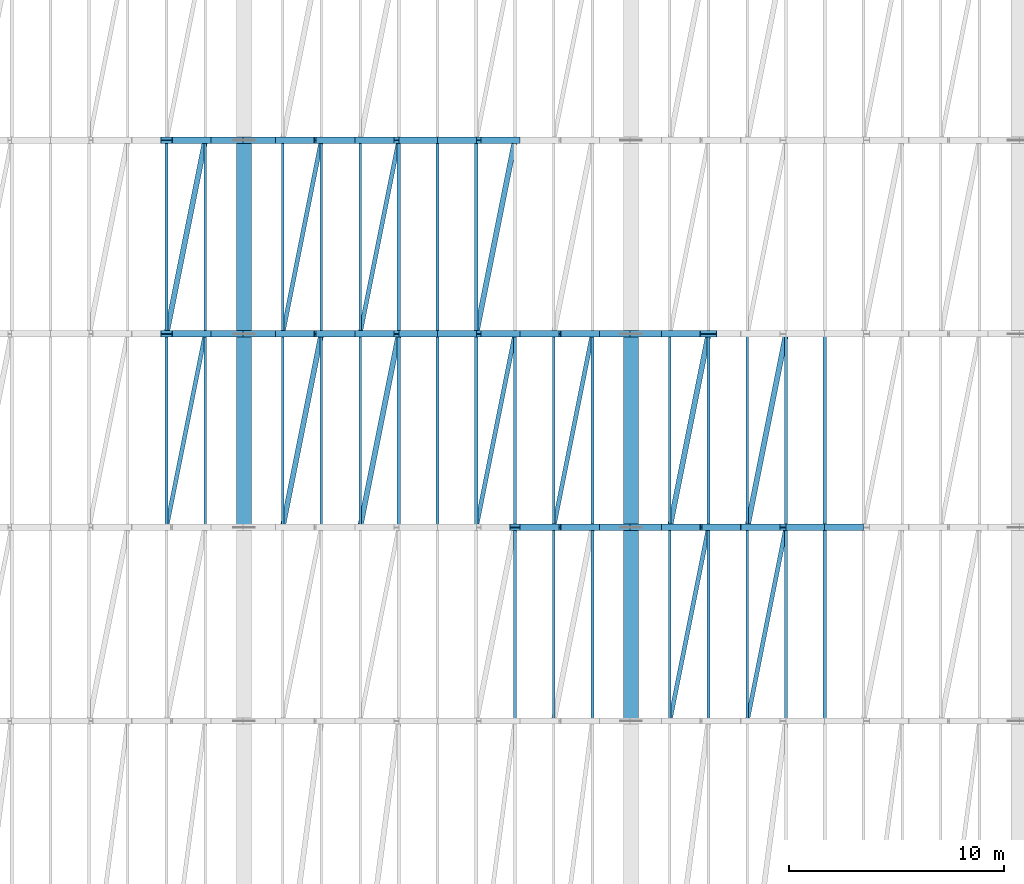
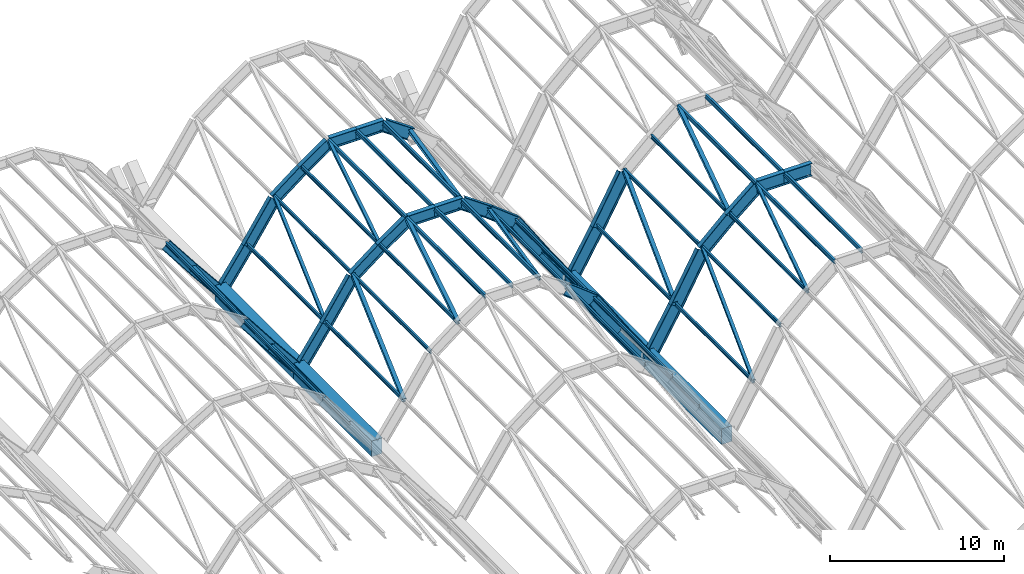
# One storey, part 20 of 86: 45 members, 36 beams.
"""IFC4 building model written with IfcOpenShell, lengths in metres."""

import ifcopenshell
import ifcopenshell.guid

model = None  # the IFC model being written
_history = None  # IfcOwnerHistory: only IFC2X3 demands one
_inside = {}  # id of a spatial element -> (the spatial element, [elements in it])
_under = {}  # id of a project, library or spatial element -> (it, [spatial elements below it])
_declared = {}  # id of a project -> (the project, [libraries it declares])
_typed = {}  # id of a type object -> (the type object, [elements of that type])
_made_of = {}  # id of a material, layer set ... -> (it, [elements and type objects made of it])


def new_model(schema):
    """Start an empty IFC model of exactly this schema.

    Asked for "IFC4X3", IfcOpenShell would pick the latest addendum, in which some entities
    have other attributes; the version numbers below select the first issue.
    IFC2X3 requires an IfcOwnerHistory on every rooted entity: one is made here for all.
    """
    global model, _history
    if schema == "IFC4X3":
        model = ifcopenshell.file(schema_version=(4, 3, 0, 0))
    else:
        model = ifcopenshell.file(schema=schema)
    _inside.clear()
    _under.clear()
    _declared.clear()
    _typed.clear()
    _made_of.clear()
    _history = None
    if model.schema == "IFC2X3":
        org = make("IfcOrganization", Name="unknown")
        user = make(
            "IfcPersonAndOrganization",
            ThePerson=make("IfcPerson", FamilyName="unknown"),
            TheOrganization=org,
        )
        app = make(
            "IfcApplication",
            ApplicationDeveloper=org,
            Version="unknown",
            ApplicationFullName="unknown",
            ApplicationIdentifier="unknown",
        )
        _history = make(
            "IfcOwnerHistory",
            OwningUser=user,
            OwningApplication=app,
            ChangeAction="ADDED",
            CreationDate=0,
        )
    return model


def make(cls, **values):
    """One entity of the class cls with the attributes given. An attribute that is None is left unset."""
    return model.create_entity(
        cls, **{name: value for name, value in values.items() if value is not None}
    )


def rooted(cls, **values):
    """An entity with a GlobalId (a new one), such as an element, a storey or a relation."""
    return make(cls, GlobalId=ifcopenshell.guid.new(), OwnerHistory=_history, **values)


def si_unit(unit_type, name, prefix=None):
    """IfcSIUnit, for example si_unit("LENGTHUNIT", "METRE", prefix="MILLI")."""
    return make("IfcSIUnit", UnitType=unit_type, Prefix=prefix, Name=name)


def assignment(units):
    """IfcUnitAssignment: the units of a project."""
    return None if units is None else make("IfcUnitAssignment", Units=units)


def point(xyz):
    """IfcCartesianPoint."""
    return None if xyz is None else make("IfcCartesianPoint", Coordinates=xyz)


def direction(xyz):
    """IfcDirection."""
    return None if xyz is None else make("IfcDirection", DirectionRatios=xyz)


def frame(location, z_axis=None, x_axis=None):
    """IfcAxis2Placement3D, a coordinate frame: its origin and axes. An axis left out is left unset."""
    return make(
        "IfcAxis2Placement3D",
        Location=point(location),
        Axis=direction(z_axis),
        RefDirection=direction(x_axis),
    )


def frame_2d(location, x_axis=None):
    """IfcAxis2Placement2D, a coordinate frame in the plane: its origin and x axis."""
    return make(
        "IfcAxis2Placement2D", Location=point(location), RefDirection=direction(x_axis)
    )


def origin():
    """The frame at (0, 0, 0) with its axes left unset."""
    return frame((0.0, 0.0, 0.0))


def origin_2d():
    """The frame at (0, 0) in the plane with its x axis left unset."""
    return frame_2d((0.0, 0.0))


def place(relative_to, where):
    """IfcLocalPlacement: puts the frame where relative to a parent placement (None: the world)."""
    return make(
        "IfcLocalPlacement", PlacementRelTo=relative_to, RelativePlacement=where
    )


def context(
    kind, dimensions, precision=None, world=None, true_north=None, identifier=None
):
    """IfcGeometricRepresentationContext, for example the 3D "Model" context."""
    return make(
        "IfcGeometricRepresentationContext",
        ContextIdentifier=identifier,
        ContextType=kind,
        CoordinateSpaceDimension=dimensions,
        Precision=precision,
        WorldCoordinateSystem=world,
        TrueNorth=true_north,
    )


def subcontext(parent, identifier, kind, view, scale=None):
    """IfcGeometricRepresentationSubContext, for example "Body" below "Model"."""
    return make(
        "IfcGeometricRepresentationSubContext",
        ContextIdentifier=identifier,
        ContextType=kind,
        ParentContext=parent,
        TargetScale=scale,
        TargetView=view,
    )


def project(units=None, contexts=None):
    """IfcProject with its units and contexts."""
    return rooted(
        "IfcProject",
        Name="project",
        RepresentationContexts=contexts,
        UnitsInContext=assignment(units),
    )


def spatial(cls, under=None, at=None, **own):
    """A site, building, storey or space (cls), placed at a placement, below another one or the project."""
    s = rooted(cls, ObjectPlacement=at, **own)
    if under is not None:
        _under.setdefault(under.id(), (under, []))[1].append(s)
    return s


def profile(cls, at=None, kind="AREA", **sizes):
    """A parametric profile (cls). Its sizes go by their IFC names, for example OverallWidth=200.0."""
    return make(cls, ProfileType=kind, Position=at, **sizes)


def rectangle(**sizes):
    """IfcRectangleProfileDef."""
    return profile("IfcRectangleProfileDef", **sizes)


def i_section(**sizes):
    """IfcIShapeProfileDef."""
    return profile("IfcIShapeProfileDef", **sizes)


def extrude(swept, where, along, depth):
    """IfcExtrudedAreaSolid: the profile swept, set in the frame where, extruded along a direction by depth."""
    return make(
        "IfcExtrudedAreaSolid",
        SweptArea=swept,
        Position=where,
        ExtrudedDirection=direction(along),
        Depth=depth,
    )


def shape(context_of_items, identifier, shape_type, items):
    """IfcShapeRepresentation: the items that make up one representation, for example the "Body"."""
    return make(
        "IfcShapeRepresentation",
        ContextOfItems=context_of_items,
        RepresentationIdentifier=identifier,
        RepresentationType=shape_type,
        Items=items,
    )


def material(Name=None, Category=None):
    """IfcMaterial."""
    return make("IfcMaterial", Name=Name, Category=Category)


def material_profile(
    of_material, cross_section, Name=None, Category=None, Priority=None
):
    """IfcMaterialProfile: a cross section and its material."""
    return make(
        "IfcMaterialProfile",
        Name=Name,
        Material=of_material,
        Profile=cross_section,
        Priority=Priority,
        Category=Category,
    )


def profile_set(profiles, Name=None, composite=None):
    """IfcMaterialProfileSet."""
    return make(
        "IfcMaterialProfileSet",
        Name=Name,
        MaterialProfiles=profiles,
        CompositeProfile=composite,
    )


def made_of(thing, what):
    """Note that an element or type object is made of a material, layer set ...; save() writes the relation."""
    if what is not None:
        _made_of.setdefault(what.id(), (what, []))[1].append(thing)
    return thing


def type_object(cls, material=None, **own):
    """A type object (cls), such as IfcWallType, which elements share."""
    return made_of(rooted(cls, **own), material)


def element(
    cls,
    number,
    at=None,
    inside=None,
    cuts=None,
    type_object=None,
    material=None,
    context=None,
    identifier="Body",
    shape_type=None,
    held_by="IfcProductDefinitionShape",
    body=None,
    shapes=None,
    **own,
):
    """One element of the class cls, such as IfcWall. Its Tag is "e" and its number.

    at: its placement. inside: the storey or other place that contains it. cuts: it is an
    opening in that element (IfcRelVoidsElement). A single representation is given by context,
    identifier, shape_type and body (its items); several are given by shapes. held_by: the class
    of the entity that holds the representations. save() writes the other relations.
    """
    e = rooted(cls, Tag="e%d" % number, ObjectPlacement=at, **own)
    if body is not None:
        shapes = [shape(context, identifier, shape_type, body)]
    if shapes is not None:
        e.Representation = make(held_by, Representations=shapes)
    if inside is not None:
        _inside.setdefault(inside.id(), (inside, []))[1].append(e)
    if cuts is not None:
        rooted(
            "IfcRelVoidsElement", RelatingBuildingElement=cuts, RelatedOpeningElement=e
        )
    if type_object is not None:
        _typed.setdefault(type_object.id(), (type_object, []))[1].append(e)
    return made_of(e, material)


def aggregate(whole, parts):
    """IfcRelAggregates: a whole, such as a stair, and the parts it consists of."""
    return rooted("IfcRelAggregates", RelatingObject=whole, RelatedObjects=parts)


def save(model, path):
    """Write the relations noted so far, then the file.

    IfcRelAggregates (storeys below a building ...), IfcRelContainedInSpatialStructure (elements
    in a storey), IfcRelDefinesByType, IfcRelAssociatesMaterial and IfcRelDeclares: one each for
    every whole, place, type object, material and project.
    """
    for whole, parts in _under.values():
        aggregate(whole, parts)
    for where, things in _inside.values():
        rooted(
            "IfcRelContainedInSpatialStructure",
            RelatedElements=things,
            RelatingStructure=where,
        )
    for kind, things in _typed.values():
        rooted("IfcRelDefinesByType", RelatedObjects=things, RelatingType=kind)
    for what, things in _made_of.values():
        rooted("IfcRelAssociatesMaterial", RelatedObjects=things, RelatingMaterial=what)
    for by, libraries in _declared.values():
        rooted("IfcRelDeclares", RelatingContext=by, RelatedDefinitions=libraries)
    model.write(path)


model = new_model("IFC4")

# Units and contexts
model_context = context("Model", 3, precision=1e-05, world=origin(), true_north=direction((0.0, 1.0)))
body_context = subcontext(model_context, "Body", "Model", "MODEL_VIEW")
ifc_project = project(units=[si_unit("LENGTHUNIT", "METRE"), si_unit("AREAUNIT", "SQUARE_METRE"), si_unit("VOLUMEUNIT", "CUBIC_METRE"), si_unit("PLANEANGLEUNIT", "RADIAN"), si_unit("MASSUNIT", "GRAM", prefix="KILO")], contexts=[model_context])

# Site, building, storey
site_placement = place(None, origin())
site = spatial("IfcSite", under=ifc_project, at=site_placement, CompositionType="ELEMENT")
building_placement = place(site_placement, origin())
building = spatial("IfcBuilding", under=site, at=building_placement, Name="Chuanluo Vaults Station", CompositionType="ELEMENT")
storey_placement = place(building_placement, frame((0.0, 0.0, 14.39990234375)))
storey = spatial("IfcBuildingStorey", under=building, at=storey_placement, Name="L03", CompositionType="ELEMENT", Elevation=14.39990234375)

# Beams
ifc_material_1 = material(Name="Concrete C50", Category="concrete")
ifc_material_profile_1 = material_profile(ifc_material_1, rectangle(XDim=0.699951171875, YDim=1.10009765625, at=origin_2d()))
ifc_profile_set_1 = profile_set([ifc_material_profile_1], Name="Concrete C50")
beam_type_1 = type_object("IfcBeamType", Name="BM-VAL-RC", PredefinedType="USERDEFINED", material=ifc_profile_set_1)
for number, where, z_axis, x_axis, name in (
    (1, (36.0, 76.5, -0.7998046875), (0.0, 1.0, 0.0), (-1.0, 0.0, 0.0), "Vault springing valley beam X36-6"),
    (2, (36.0, 85.5, -0.7998046875), (0.0, 1.0, 0.0), (-1.0, 0.0, 0.0), "Vault springing valley beam X36-7"),
    (3, (54.0, 67.5, -0.7998046875), (0.0, 1.0, 0.0), (-1.0, 0.0, 0.0), "Vault springing valley beam X54-5"),
    (4, (54.0, 76.5, -0.7998046875), (0.0, 1.0, 0.0), (-1.0, 0.0, 0.0), "Vault springing valley beam X54-6"),
):
    element("IfcBeam", number, at=place(storey_placement, frame(where, z_axis=z_axis, x_axis=x_axis)), inside=storey, type_object=beam_type_1, Name=name, ObjectType="GIRDER", PredefinedType="USERDEFINED", context=body_context, shape_type="SweptSolid", body=[
        extrude(rectangle(XDim=0.699951171875, YDim=1.10009765625, at=origin_2d()), origin(), (0.0, 0.0, 1.0), 9.0),
    ])
ifc_material_2 = material(Name="Steel Q355C", Category="steel")
ifc_material_profile_2 = material_profile(ifc_material_2, i_section(OverallWidth=0.300048828125, OverallDepth=0.699951171875, WebThickness=0.012939453125, FlangeThickness=0.02392578125, FilletRadius=0.02392578125, at=origin_2d()))
ifc_profile_set_2 = profile_set([ifc_material_profile_2], Name="Steel Q355C")
beam_type_2 = type_object("IfcBeamType", Name="BM-VLT-700", PredefinedType="USERDEFINED", material=ifc_profile_set_2)
beam_1_placement = place(storey_placement, frame((32.39990234375, 85.5, 3.74560546875), z_axis=(0.613681275736, 0.0, -0.789553856182), x_axis=(0.0, 1.0, 0.0)))
element("IfcBeam", 5, at=beam_1_placement, inside=storey, type_object=beam_type_2, Name="Vault V2 arch rib 7 chord 9", ObjectType="GIRDER", PredefinedType="USERDEFINED", context=body_context, shape_type="SweptSolid", body=[
    extrude(i_section(OverallWidth=0.300048828125, OverallDepth=0.699951171875, WebThickness=0.012939453125, FlangeThickness=0.02392578125, FilletRadius=0.02392578125, at=origin_2d()), origin(), (0.0, 0.0, 1.0), 2.93310546875),
])
beam_2_placement = place(storey_placement, frame((34.199951171875, 85.5, 1.4296875), z_axis=(0.628190338877, 0.0, -0.778059700885), x_axis=(0.0, 1.0, 0.0)))
element("IfcBeam", 6, at=beam_2_placement, inside=storey, type_object=beam_type_2, Name="Vault V2 arch rib 7 chord 10", ObjectType="GIRDER", PredefinedType="USERDEFINED", context=body_context, shape_type="SweptSolid", body=[
    extrude(i_section(OverallWidth=0.300048828125, OverallDepth=0.699951171875, WebThickness=0.012939453125, FlangeThickness=0.02392578125, FilletRadius=0.02392578125, at=origin_2d()), origin(), (0.0, 0.0, 1.0), 2.865478515625),
])
beam_3_placement = place(storey_placement, frame((32.39990234375, 94.5, 3.74560546875), z_axis=(0.613681275736, 0.0, -0.789553856182), x_axis=(0.0, 1.0, 0.0)))
element("IfcBeam", 7, at=beam_3_placement, inside=storey, type_object=beam_type_2, Name="Vault V2 arch rib 8 chord 9", ObjectType="GIRDER", PredefinedType="USERDEFINED", context=body_context, shape_type="SweptSolid", body=[
    extrude(i_section(OverallWidth=0.300048828125, OverallDepth=0.699951171875, WebThickness=0.012939453125, FlangeThickness=0.02392578125, FilletRadius=0.02392578125, at=origin_2d()), origin(), (0.0, 0.0, 1.0), 2.93310546875),
])
beam_4_placement = place(storey_placement, frame((34.199951171875, 94.5, 1.4296875), z_axis=(0.628190338877, 0.0, -0.778059700885), x_axis=(0.0, 1.0, 0.0)))
element("IfcBeam", 8, at=beam_4_placement, inside=storey, type_object=beam_type_2, Name="Vault V2 arch rib 8 chord 10", ObjectType="GIRDER", PredefinedType="USERDEFINED", context=body_context, shape_type="SweptSolid", body=[
    extrude(i_section(OverallWidth=0.300048828125, OverallDepth=0.699951171875, WebThickness=0.012939453125, FlangeThickness=0.02392578125, FilletRadius=0.02392578125, at=origin_2d()), origin(), (0.0, 0.0, 1.0), 2.865478515625),
])
ifc_material_3 = material(Name="Steel Q355C", Category="steel")
ifc_material_profile_3 = material_profile(ifc_material_3, i_section(OverallWidth=0.300048828125, OverallDepth=0.800048828125, WebThickness=0.013916015625, FlangeThickness=0.02587890625, FilletRadius=0.02392578125, at=origin_2d()))
ifc_profile_set_3 = profile_set([ifc_material_profile_3], Name="Steel Q355C")
beam_type_3 = type_object("IfcBeamType", Name="BM-VLT-800", PredefinedType="USERDEFINED", material=ifc_profile_set_3)
beam_5_placement = place(storey_placement, frame((48.60009765625, 76.5, 5.8779296875), z_axis=(0.790274889356, 0.0, -0.612752477965), x_axis=(0.0, 1.0, 0.0)))
element("IfcBeam", 9, at=beam_5_placement, inside=storey, type_object=beam_type_3, Name="Vault V3 arch rib 6 chord 8", ObjectType="GIRDER", PredefinedType="USERDEFINED", context=body_context, shape_type="SweptSolid", body=[
    extrude(i_section(OverallWidth=0.300048828125, OverallDepth=0.800048828125, WebThickness=0.013916015625, FlangeThickness=0.02587890625, FilletRadius=0.02392578125, at=origin_2d()), origin(), (0.0, 0.0, 1.0), 2.27734375),
])
beam_6_placement = place(storey_placement, frame((50.39990234375, 76.5, 4.482421875), z_axis=(0.550471867992, 0.0, -0.834853713263), x_axis=(0.0, 1.0, 0.0)))
element("IfcBeam", 10, at=beam_6_placement, inside=storey, type_object=beam_type_3, Name="Vault V3 arch rib 6 chord 9", ObjectType="GIRDER", PredefinedType="USERDEFINED", context=body_context, shape_type="SweptSolid", body=[
    extrude(i_section(OverallWidth=0.300048828125, OverallDepth=0.800048828125, WebThickness=0.013916015625, FlangeThickness=0.02587890625, FilletRadius=0.02392578125, at=origin_2d()), origin(), (0.0, 0.0, 1.0), 3.27001953125),
])
for number, where, z_axis, x_axis, name in (
    (11, (52.199951171875, 76.5, 1.75244140625), (0.568880934439, 0.0, -0.822419894234), (0.0, 1.0, 0.0), "Vault V3 arch rib 6 chord 10"),
    (12, (36.0, 85.5, -0.849853515625), (0.568880934439, 0.0, 0.822419894234), (0.0, 1.0, 0.0), "Vault V3 arch rib 7 chord 1"),
):
    element("IfcBeam", number, at=place(storey_placement, frame(where, z_axis=z_axis, x_axis=x_axis)), inside=storey, type_object=beam_type_3, Name=name, ObjectType="GIRDER", PredefinedType="USERDEFINED", context=body_context, shape_type="SweptSolid", body=[
        extrude(i_section(OverallWidth=0.300048828125, OverallDepth=0.800048828125, WebThickness=0.013916015625, FlangeThickness=0.02587890625, FilletRadius=0.02392578125, at=origin_2d()), origin(), (0.0, 0.0, 1.0), 3.164306640625),
    ])
beam_7_placement = place(storey_placement, frame((37.800048828125, 85.5, 1.75244140625), z_axis=(0.550471867992, 0.0, 0.834853713263), x_axis=(0.0, 1.0, 0.0)))
element("IfcBeam", 13, at=beam_7_placement, inside=storey, type_object=beam_type_3, Name="Vault V3 arch rib 7 chord 2", ObjectType="GIRDER", PredefinedType="USERDEFINED", context=body_context, shape_type="SweptSolid", body=[
    extrude(i_section(OverallWidth=0.300048828125, OverallDepth=0.800048828125, WebThickness=0.013916015625, FlangeThickness=0.02587890625, FilletRadius=0.02392578125, at=origin_2d()), origin(), (0.0, 0.0, 1.0), 3.27001953125),
])
beam_8_placement = place(storey_placement, frame((39.60009765625, 85.5, 4.482421875), z_axis=(0.790274889356, 0.0, 0.612752477965), x_axis=(0.0, 1.0, 0.0)))
element("IfcBeam", 14, at=beam_8_placement, inside=storey, type_object=beam_type_3, Name="Vault V3 arch rib 7 chord 3", ObjectType="GIRDER", PredefinedType="USERDEFINED", context=body_context, shape_type="SweptSolid", body=[
    extrude(i_section(OverallWidth=0.300048828125, OverallDepth=0.800048828125, WebThickness=0.013916015625, FlangeThickness=0.02587890625, FilletRadius=0.02392578125, at=origin_2d()), origin(), (0.0, 0.0, 1.0), 2.27734375),
])
beam_9_placement = place(storey_placement, frame((41.39990234375, 85.5, 5.8779296875), z_axis=(0.820907471123, 0.0, 0.571061226012), x_axis=(0.0, 1.0, 0.0)))
element("IfcBeam", 15, at=beam_9_placement, inside=storey, type_object=beam_type_3, Name="Vault V3 arch rib 7 chord 4", ObjectType="GIRDER", PredefinedType="USERDEFINED", context=body_context, shape_type="SweptSolid", body=[
    extrude(i_section(OverallWidth=0.300048828125, OverallDepth=0.800048828125, WebThickness=0.013916015625, FlangeThickness=0.02587890625, FilletRadius=0.02392578125, at=origin_2d()), origin(), (0.0, 0.0, 1.0), 2.19287109375),
])
for number, where, z_axis, x_axis, name in (
    (16, (43.199951171875, 85.5, 7.130126953125), (1.0, 0.0, 0.0), (0.0, 1.0, 0.0), "Vault V3 arch rib 7 chord 5"),
    (17, (45.0, 85.5, 7.130126953125), (1.0, 0.0, 0.0), (0.0, 1.0, 0.0), "Vault V3 arch rib 7 chord 6"),
):
    element("IfcBeam", number, at=place(storey_placement, frame(where, z_axis=z_axis, x_axis=x_axis)), inside=storey, type_object=beam_type_3, Name=name, ObjectType="GIRDER", PredefinedType="USERDEFINED", context=body_context, shape_type="SweptSolid", body=[
        extrude(i_section(OverallWidth=0.300048828125, OverallDepth=0.800048828125, WebThickness=0.013916015625, FlangeThickness=0.02587890625, FilletRadius=0.02392578125, at=origin_2d()), origin(), (0.0, 0.0, 1.0), 1.800048828125),
    ])
beam_10_placement = place(storey_placement, frame((46.800048828125, 85.5, 7.130126953125), z_axis=(0.820907471123, 0.0, -0.571061226012), x_axis=(0.0, 1.0, 0.0)))
element("IfcBeam", 18, at=beam_10_placement, inside=storey, type_object=beam_type_3, Name="Vault V3 arch rib 7 chord 7", ObjectType="GIRDER", PredefinedType="USERDEFINED", context=body_context, shape_type="SweptSolid", body=[
    extrude(i_section(OverallWidth=0.300048828125, OverallDepth=0.800048828125, WebThickness=0.013916015625, FlangeThickness=0.02587890625, FilletRadius=0.02392578125, at=origin_2d()), origin(), (0.0, 0.0, 1.0), 2.19287109375),
])
beam_11_placement = place(storey_placement, frame((48.60009765625, 85.5, 5.8779296875), z_axis=(0.790274889356, 0.0, -0.612752477965), x_axis=(0.0, 1.0, 0.0)))
element("IfcBeam", 19, at=beam_11_placement, inside=storey, type_object=beam_type_3, Name="Vault V3 arch rib 7 chord 8", ObjectType="GIRDER", PredefinedType="USERDEFINED", context=body_context, shape_type="SweptSolid", body=[
    extrude(i_section(OverallWidth=0.300048828125, OverallDepth=0.800048828125, WebThickness=0.013916015625, FlangeThickness=0.02587890625, FilletRadius=0.02392578125, at=origin_2d()), origin(), (0.0, 0.0, 1.0), 2.27734375),
])
beam_12_placement = place(storey_placement, frame((50.39990234375, 85.5, 4.482421875), z_axis=(0.550471867992, 0.0, -0.834853713263), x_axis=(0.0, 1.0, 0.0)))
element("IfcBeam", 20, at=beam_12_placement, inside=storey, type_object=beam_type_3, Name="Vault V3 arch rib 7 chord 9", ObjectType="GIRDER", PredefinedType="USERDEFINED", context=body_context, shape_type="SweptSolid", body=[
    extrude(i_section(OverallWidth=0.300048828125, OverallDepth=0.800048828125, WebThickness=0.013916015625, FlangeThickness=0.02587890625, FilletRadius=0.02392578125, at=origin_2d()), origin(), (0.0, 0.0, 1.0), 3.27001953125),
])
for number, where, z_axis, x_axis, name in (
    (21, (52.199951171875, 85.5, 1.75244140625), (0.568880934439, 0.0, -0.822419894234), (0.0, 1.0, 0.0), "Vault V3 arch rib 7 chord 10"),
    (22, (36.0, 94.5, -0.849853515625), (0.568880934439, 0.0, 0.822419894234), (0.0, 1.0, 0.0), "Vault V3 arch rib 8 chord 1"),
):
    element("IfcBeam", number, at=place(storey_placement, frame(where, z_axis=z_axis, x_axis=x_axis)), inside=storey, type_object=beam_type_3, Name=name, ObjectType="GIRDER", PredefinedType="USERDEFINED", context=body_context, shape_type="SweptSolid", body=[
        extrude(i_section(OverallWidth=0.300048828125, OverallDepth=0.800048828125, WebThickness=0.013916015625, FlangeThickness=0.02587890625, FilletRadius=0.02392578125, at=origin_2d()), origin(), (0.0, 0.0, 1.0), 3.164306640625),
    ])
beam_13_placement = place(storey_placement, frame((37.800048828125, 94.5, 1.75244140625), z_axis=(0.550471867992, 0.0, 0.834853713263), x_axis=(0.0, 1.0, 0.0)))
element("IfcBeam", 23, at=beam_13_placement, inside=storey, type_object=beam_type_3, Name="Vault V3 arch rib 8 chord 2", ObjectType="GIRDER", PredefinedType="USERDEFINED", context=body_context, shape_type="SweptSolid", body=[
    extrude(i_section(OverallWidth=0.300048828125, OverallDepth=0.800048828125, WebThickness=0.013916015625, FlangeThickness=0.02587890625, FilletRadius=0.02392578125, at=origin_2d()), origin(), (0.0, 0.0, 1.0), 3.27001953125),
])
beam_14_placement = place(storey_placement, frame((39.60009765625, 94.5, 4.482421875), z_axis=(0.790274889356, 0.0, 0.612752477965), x_axis=(0.0, 1.0, 0.0)))
element("IfcBeam", 24, at=beam_14_placement, inside=storey, type_object=beam_type_3, Name="Vault V3 arch rib 8 chord 3", ObjectType="GIRDER", PredefinedType="USERDEFINED", context=body_context, shape_type="SweptSolid", body=[
    extrude(i_section(OverallWidth=0.300048828125, OverallDepth=0.800048828125, WebThickness=0.013916015625, FlangeThickness=0.02587890625, FilletRadius=0.02392578125, at=origin_2d()), origin(), (0.0, 0.0, 1.0), 2.27734375),
])
beam_15_placement = place(storey_placement, frame((41.39990234375, 94.5, 5.8779296875), z_axis=(0.820907471123, 0.0, 0.571061226012), x_axis=(0.0, 1.0, 0.0)))
element("IfcBeam", 25, at=beam_15_placement, inside=storey, type_object=beam_type_3, Name="Vault V3 arch rib 8 chord 4", ObjectType="GIRDER", PredefinedType="USERDEFINED", context=body_context, shape_type="SweptSolid", body=[
    extrude(i_section(OverallWidth=0.300048828125, OverallDepth=0.800048828125, WebThickness=0.013916015625, FlangeThickness=0.02587890625, FilletRadius=0.02392578125, at=origin_2d()), origin(), (0.0, 0.0, 1.0), 2.19287109375),
])
for number, where, z_axis, x_axis, name in (
    (26, (43.199951171875, 94.5, 7.130126953125), (1.0, 0.0, 0.0), (0.0, 1.0, 0.0), "Vault V3 arch rib 8 chord 5"),
    (27, (45.0, 94.5, 7.130126953125), (1.0, 0.0, 0.0), (0.0, 1.0, 0.0), "Vault V3 arch rib 8 chord 6"),
):
    element("IfcBeam", number, at=place(storey_placement, frame(where, z_axis=z_axis, x_axis=x_axis)), inside=storey, type_object=beam_type_3, Name=name, ObjectType="GIRDER", PredefinedType="USERDEFINED", context=body_context, shape_type="SweptSolid", body=[
        extrude(i_section(OverallWidth=0.300048828125, OverallDepth=0.800048828125, WebThickness=0.013916015625, FlangeThickness=0.02587890625, FilletRadius=0.02392578125, at=origin_2d()), origin(), (0.0, 0.0, 1.0), 1.800048828125),
    ])
beam_16_placement = place(storey_placement, frame((46.800048828125, 94.5, 7.130126953125), z_axis=(0.820907471123, 0.0, -0.571061226012), x_axis=(0.0, 1.0, 0.0)))
element("IfcBeam", 28, at=beam_16_placement, inside=storey, type_object=beam_type_3, Name="Vault V3 arch rib 8 chord 7", ObjectType="GIRDER", PredefinedType="USERDEFINED", context=body_context, shape_type="SweptSolid", body=[
    extrude(i_section(OverallWidth=0.300048828125, OverallDepth=0.800048828125, WebThickness=0.013916015625, FlangeThickness=0.02587890625, FilletRadius=0.02392578125, at=origin_2d()), origin(), (0.0, 0.0, 1.0), 2.19287109375),
])
ifc_material_4 = material(Name="Steel Q355C", Category="steel")
ifc_material_profile_4 = material_profile(ifc_material_4, i_section(OverallWidth=0.300048828125, OverallDepth=0.89990234375, WebThickness=0.01611328125, FlangeThickness=0.028076171875, FilletRadius=0.02392578125, at=origin_2d()))
ifc_profile_set_4 = profile_set([ifc_material_profile_4], Name="Steel Q355C")
beam_type_4 = type_object("IfcBeamType", Name="BM-VLT-900", PredefinedType="USERDEFINED", material=ifc_profile_set_4)
beam_17_placement = place(storey_placement, frame((54.0, 76.5, -0.89990234375), z_axis=(0.502607424266, 0.0, 0.864514763941), x_axis=(0.0, 1.0, 0.0)))
element("IfcBeam", 29, at=beam_17_placement, inside=storey, type_object=beam_type_4, Name="Vault V4 arch rib 6 chord 1", ObjectType="GIRDER", PredefinedType="USERDEFINED", context=body_context, shape_type="SweptSolid", body=[
    extrude(i_section(OverallWidth=0.300048828125, OverallDepth=0.89990234375, WebThickness=0.01611328125, FlangeThickness=0.028076171875, FilletRadius=0.02392578125, at=origin_2d()), origin(), (0.0, 0.0, 1.0), 3.58154296875),
])
beam_18_placement = place(storey_placement, frame((55.800048828125, 76.5, 2.1962890625), z_axis=(0.480856872349, 0.0, 0.876799103738), x_axis=(0.0, 1.0, 0.0)))
element("IfcBeam", 30, at=beam_18_placement, inside=storey, type_object=beam_type_4, Name="Vault V4 arch rib 6 chord 2", ObjectType="GIRDER", PredefinedType="USERDEFINED", context=body_context, shape_type="SweptSolid", body=[
    extrude(i_section(OverallWidth=0.300048828125, OverallDepth=0.89990234375, WebThickness=0.01611328125, FlangeThickness=0.028076171875, FilletRadius=0.02392578125, at=origin_2d()), origin(), (0.0, 0.0, 1.0), 3.743408203125),
])
beam_19_placement = place(storey_placement, frame((57.60009765625, 76.5, 5.478515625), z_axis=(0.730389392317, 0.0, 0.683030991676), x_axis=(0.0, 1.0, 0.0)))
element("IfcBeam", 31, at=beam_19_placement, inside=storey, type_object=beam_type_4, Name="Vault V4 arch rib 6 chord 3", ObjectType="GIRDER", PredefinedType="USERDEFINED", context=body_context, shape_type="SweptSolid", body=[
    extrude(i_section(OverallWidth=0.300048828125, OverallDepth=0.89990234375, WebThickness=0.01611328125, FlangeThickness=0.028076171875, FilletRadius=0.02392578125, at=origin_2d()), origin(), (0.0, 0.0, 1.0), 2.464111328125),
])
beam_20_placement = place(storey_placement, frame((59.39990234375, 76.5, 7.16162109375), z_axis=(0.76434097912, 0.0, 0.644812273176), x_axis=(0.0, 1.0, 0.0)))
element("IfcBeam", 32, at=beam_20_placement, inside=storey, type_object=beam_type_4, Name="Vault V4 arch rib 6 chord 4", ObjectType="GIRDER", PredefinedType="USERDEFINED", context=body_context, shape_type="SweptSolid", body=[
    extrude(i_section(OverallWidth=0.300048828125, OverallDepth=0.89990234375, WebThickness=0.01611328125, FlangeThickness=0.028076171875, FilletRadius=0.02392578125, at=origin_2d()), origin(), (0.0, 0.0, 1.0), 2.35498046875),
])
for number, where, z_axis, x_axis, name in (
    (33, (61.199951171875, 76.5, 8.68017578125), (1.0, 0.0, 0.0), (0.0, 1.0, 0.0), "Vault V4 arch rib 6 chord 5"),
    (34, (63.0, 76.5, 8.68017578125), (1.0, 0.0, 0.0), (0.0, 1.0, 0.0), "Vault V4 arch rib 6 chord 6"),
):
    element("IfcBeam", number, at=place(storey_placement, frame(where, z_axis=z_axis, x_axis=x_axis)), inside=storey, type_object=beam_type_4, Name=name, ObjectType="GIRDER", PredefinedType="USERDEFINED", context=body_context, shape_type="SweptSolid", body=[
        extrude(i_section(OverallWidth=0.300048828125, OverallDepth=0.89990234375, WebThickness=0.01611328125, FlangeThickness=0.028076171875, FilletRadius=0.02392578125, at=origin_2d()), origin(), (0.0, 0.0, 1.0), 1.800048828125),
    ])
beam_21_placement = place(storey_placement, frame((54.0, 85.5, -0.89990234375), z_axis=(0.502607424266, 0.0, 0.864514763941), x_axis=(0.0, 1.0, 0.0)))
element("IfcBeam", 35, at=beam_21_placement, inside=storey, type_object=beam_type_4, Name="Vault V4 arch rib 7 chord 1", ObjectType="GIRDER", PredefinedType="USERDEFINED", context=body_context, shape_type="SweptSolid", body=[
    extrude(i_section(OverallWidth=0.300048828125, OverallDepth=0.89990234375, WebThickness=0.01611328125, FlangeThickness=0.028076171875, FilletRadius=0.02392578125, at=origin_2d()), origin(), (0.0, 0.0, 1.0), 3.58154296875),
])
beam_22_placement = place(storey_placement, frame((55.800048828125, 85.5, 2.1962890625), z_axis=(0.480856872349, 0.0, 0.876799103738), x_axis=(0.0, 1.0, 0.0)))
element("IfcBeam", 36, at=beam_22_placement, inside=storey, type_object=beam_type_4, Name="Vault V4 arch rib 7 chord 2", ObjectType="GIRDER", PredefinedType="USERDEFINED", context=body_context, shape_type="SweptSolid", body=[
    extrude(i_section(OverallWidth=0.300048828125, OverallDepth=0.89990234375, WebThickness=0.01611328125, FlangeThickness=0.028076171875, FilletRadius=0.02392578125, at=origin_2d()), origin(), (0.0, 0.0, 1.0), 3.743408203125),
])

# Members
ifc_material_5 = material(Name="Steel Q355C", Category="steel")
ifc_material_profile_5 = material_profile(ifc_material_5, i_section(OverallWidth=0.125, OverallDepth=0.25, WebThickness=0.006103515625, FlangeThickness=0.009033203125, FilletRadius=0.011962890625, at=origin_2d()))
ifc_profile_set_5 = profile_set([ifc_material_profile_5], Name="Steel Q355C")
member_type_1 = type_object("IfcMemberType", Name="MEM-PUR-250", PredefinedType="PURLIN", material=ifc_profile_set_5)
for number, where, z_axis, x_axis, name in (
    (37, (32.39990234375, 76.5, 3.849853515625), (0.0, 1.0, 0.0), (-1.0, 0.0, 0.0), "Vault V2 purlin 6.8"),
    (38, (34.199951171875, 76.5, 1.5126953125), (0.0, 1.0, 0.0), (-1.0, 0.0, 0.0), "Vault V2 purlin 6.9"),
    (39, (32.39990234375, 85.5, 3.849853515625), (0.0, 1.0, 0.0), (-1.0, 0.0, 0.0), "Vault V2 purlin 7.8"),
    (40, (34.199951171875, 85.5, 1.5126953125), (0.0, 1.0, 0.0), (-1.0, 0.0, 0.0), "Vault V2 purlin 7.9"),
    (41, (48.60009765625, 67.5, 6.062744140625), (0.0, 1.0, 0.0), (-1.0, 0.0, 0.0), "Vault V3 purlin 5.7"),
    (42, (50.39990234375, 67.5, 4.619384765625), (0.0, 1.0, 0.0), (-1.0, 0.0, 0.0), "Vault V3 purlin 5.8"),
    (43, (52.199951171875, 67.5, 1.86962890625), (0.0, 1.0, 0.0), (-1.0, 0.0, 0.0), "Vault V3 purlin 5.9"),
    (44, (37.800048828125, 76.5, 1.86962890625), (0.0, 1.0, 0.0), (-1.0, 0.0, 0.0), "Vault V3 purlin 6.1"),
    (45, (39.60009765625, 76.5, 4.619384765625), (0.0, 1.0, 0.0), (-1.0, 0.0, 0.0), "Vault V3 purlin 6.2"),
    (46, (41.39990234375, 76.5, 6.062744140625), (0.0, 1.0, 0.0), (-1.0, 0.0, 0.0), "Vault V3 purlin 6.3"),
    (47, (48.60009765625, 76.5, 6.062744140625), (0.0, 1.0, 0.0), (-1.0, 0.0, 0.0), "Vault V3 purlin 6.7"),
    (48, (50.39990234375, 76.5, 4.619384765625), (0.0, 1.0, 0.0), (-1.0, 0.0, 0.0), "Vault V3 purlin 6.8"),
    (49, (52.199951171875, 76.5, 1.86962890625), (0.0, 1.0, 0.0), (-1.0, 0.0, 0.0), "Vault V3 purlin 6.9"),
    (50, (37.800048828125, 85.5, 1.86962890625), (0.0, 1.0, 0.0), (-1.0, 0.0, 0.0), "Vault V3 purlin 7.1"),
    (51, (39.60009765625, 85.5, 4.619384765625), (0.0, 1.0, 0.0), (-1.0, 0.0, 0.0), "Vault V3 purlin 7.2"),
    (52, (41.39990234375, 85.5, 6.062744140625), (0.0, 1.0, 0.0), (-1.0, 0.0, 0.0), "Vault V3 purlin 7.3"),
    (53, (55.800048828125, 67.5, 2.3427734375), (0.0, 1.0, 0.0), (-1.0, 0.0, 0.0), "Vault V4 purlin 5.1"),
    (54, (57.60009765625, 67.5, 5.642578125), (0.0, 1.0, 0.0), (-1.0, 0.0, 0.0), "Vault V4 purlin 5.2"),
    (55, (59.39990234375, 67.5, 7.38720703125), (0.0, 1.0, 0.0), (-1.0, 0.0, 0.0), "Vault V4 purlin 5.3"),
    (56, (55.800048828125, 76.5, 2.3427734375), (0.0, 1.0, 0.0), (-1.0, 0.0, 0.0), "Vault V4 purlin 6.1"),
    (57, (57.60009765625, 76.5, 5.642578125), (0.0, 1.0, 0.0), (-1.0, 0.0, 0.0), "Vault V4 purlin 6.2"),
    (58, (59.39990234375, 76.5, 7.38720703125), (0.0, 1.0, 0.0), (-1.0, 0.0, 0.0), "Vault V4 purlin 6.3"),
):
    element("IfcMember", number, at=place(storey_placement, frame(where, z_axis=z_axis, x_axis=x_axis)), inside=storey, type_object=member_type_1, Name=name, PredefinedType="PURLIN", context=body_context, shape_type="SweptSolid", body=[
        extrude(i_section(OverallWidth=0.125, OverallDepth=0.25, WebThickness=0.006103515625, FlangeThickness=0.009033203125, FilletRadius=0.011962890625, at=origin_2d()), origin(), (0.0, 0.0, 1.0), 9.0),
    ])
ifc_material_6 = material(Name="Steel Q355C", Category="steel")
ifc_material_profile_6 = material_profile(ifc_material_6, i_section(OverallWidth=0.14990234375, OverallDepth=0.300048828125, WebThickness=0.006591796875, FlangeThickness=0.009033203125, FilletRadius=0.012939453125, at=origin_2d()))
ifc_profile_set_6 = profile_set([ifc_material_profile_6], Name="Steel Q355C")
member_type_2 = type_object("IfcMemberType", Name="MEM-PUR-300", PredefinedType="PURLIN", material=ifc_profile_set_6)
for number, where, z_axis, x_axis, name in (
    (59, (43.199951171875, 76.5, 7.264404296875), (0.0, 1.0, 0.0), (-1.0, 0.0, 0.0), "Vault V3 purlin 6.4"),
    (60, (45.0, 76.5, 7.3720703125), (0.0, 1.0, 0.0), (-1.0, 0.0, 0.0), "Vault V3 purlin 6.5"),
    (61, (46.800048828125, 76.5, 7.264404296875), (0.0, 1.0, 0.0), (-1.0, 0.0, 0.0), "Vault V3 purlin 6.6"),
    (62, (43.199951171875, 85.5, 7.264404296875), (0.0, 1.0, 0.0), (-1.0, 0.0, 0.0), "Vault V3 purlin 7.4"),
    (63, (45.0, 85.5, 7.3720703125), (0.0, 1.0, 0.0), (-1.0, 0.0, 0.0), "Vault V3 purlin 7.5"),
    (64, (46.800048828125, 85.5, 7.264404296875), (0.0, 1.0, 0.0), (-1.0, 0.0, 0.0), "Vault V3 purlin 7.6"),
    (65, (61.199951171875, 67.5, 8.834228515625), (0.0, 1.0, 0.0), (-1.0, 0.0, 0.0), "Vault V4 purlin 5.4"),
    (66, (63.0, 67.5, 8.97216796875), (0.0, 1.0, 0.0), (-1.0, 0.0, 0.0), "Vault V4 purlin 5.5"),
    (67, (61.199951171875, 76.5, 8.834228515625), (0.0, 1.0, 0.0), (-1.0, 0.0, 0.0), "Vault V4 purlin 6.4"),
    (68, (63.0, 76.5, 8.97216796875), (0.0, 1.0, 0.0), (-1.0, 0.0, 0.0), "Vault V4 purlin 6.5"),
):
    element("IfcMember", number, at=place(storey_placement, frame(where, z_axis=z_axis, x_axis=x_axis)), inside=storey, type_object=member_type_2, Name=name, PredefinedType="PURLIN", context=body_context, shape_type="SweptSolid", body=[
        extrude(i_section(OverallWidth=0.14990234375, OverallDepth=0.300048828125, WebThickness=0.006591796875, FlangeThickness=0.009033203125, FilletRadius=0.012939453125, at=origin_2d()), origin(), (0.0, 0.0, 1.0), 9.0),
    ])
ifc_material_7 = material(Name="Steel Q355C", Category="steel")
ifc_material_profile_7 = material_profile(ifc_material_7, i_section(OverallWidth=0.199951171875, OverallDepth=0.199951171875, WebThickness=0.008056640625, FlangeThickness=0.011962890625, FilletRadius=0.012939453125, at=origin_2d()))
ifc_profile_set_7 = profile_set([ifc_material_profile_7], Name="Steel Q355C")
member_type_3 = type_object("IfcMemberType", Name="MEM-VBR-200", PredefinedType="BRACE", material=ifc_profile_set_7)
member_1_placement = place(storey_placement, frame((32.39990234375, 76.5, 3.849853515625), z_axis=(0.19005620389, 0.950255242126, -0.246766314911), x_axis=(-0.980579652604, 0.196121250506, 0.0)))
element("IfcMember", 69, at=member_1_placement, inside=storey, type_object=member_type_3, Name="Vault V2 space-frame diagonal 6.8", PredefinedType="BRACE", context=body_context, shape_type="SweptSolid", body=[
    extrude(i_section(OverallWidth=0.199951171875, OverallDepth=0.199951171875, WebThickness=0.008056640625, FlangeThickness=0.011962890625, FilletRadius=0.012939453125, at=origin_2d()), origin(), (0.0, 0.0, 1.0), 9.47119140625),
])
member_2_placement = place(storey_placement, frame((46.800048828125, 76.5, 7.264404296875), z_axis=(0.194461668086, 0.972281965593, -0.129816944299), x_axis=(-0.980579652604, 0.196121250506, 0.0)))
element("IfcMember", 70, at=member_2_placement, inside=storey, type_object=member_type_3, Name="Vault V3 space-frame diagonal 6.6", PredefinedType="BRACE", context=body_context, shape_type="SweptSolid", body=[
    extrude(i_section(OverallWidth=0.199951171875, OverallDepth=0.199951171875, WebThickness=0.008056640625, FlangeThickness=0.011962890625, FilletRadius=0.012939453125, at=origin_2d()), origin(), (0.0, 0.0, 1.0), 9.256591796875),
])
for number, where, z_axis, x_axis, name in (
    (71, (50.39990234375, 76.5, 4.619384765625), (0.187871019476, 0.939329616435, -0.286991901853), (-0.980579652604, 0.196121250506, 0.0), "Vault V3 space-frame diagonal 6.8"),
    (72, (37.800048828125, 85.5, 1.86962890625), (0.187871019476, 0.939329616435, 0.286991901853), (-0.980579652604, 0.196121250506, 0.0), "Vault V3 space-frame diagonal 7.1"),
):
    element("IfcMember", number, at=place(storey_placement, frame(where, z_axis=z_axis, x_axis=x_axis)), inside=storey, type_object=member_type_3, Name=name, PredefinedType="BRACE", context=body_context, shape_type="SweptSolid", body=[
        extrude(i_section(OverallWidth=0.199951171875, OverallDepth=0.199951171875, WebThickness=0.008056640625, FlangeThickness=0.011962890625, FilletRadius=0.012939453125, at=origin_2d()), origin(), (0.0, 0.0, 1.0), 9.581298828125),
    ])
member_3_placement = place(storey_placement, frame((41.39990234375, 85.5, 6.062744140625), z_axis=(0.194461668086, 0.972281965593, 0.129816944299), x_axis=(-0.980579652604, 0.196121250506, 0.0)))
element("IfcMember", 73, at=member_3_placement, inside=storey, type_object=member_type_3, Name="Vault V3 space-frame diagonal 7.3", PredefinedType="BRACE", context=body_context, shape_type="SweptSolid", body=[
    extrude(i_section(OverallWidth=0.199951171875, OverallDepth=0.199951171875, WebThickness=0.008056640625, FlangeThickness=0.011962890625, FilletRadius=0.012939453125, at=origin_2d()), origin(), (0.0, 0.0, 1.0), 9.256591796875),
])
member_4_placement = place(storey_placement, frame((55.800048828125, 67.5, 2.3427734375), z_axis=(0.184555961681, 0.922754777078, 0.338323393202), x_axis=(-0.980579652604, 0.196121250506, 0.0)))
element("IfcMember", 74, at=member_4_placement, inside=storey, type_object=member_type_3, Name="Vault V4 space-frame diagonal 5.1", PredefinedType="BRACE", context=body_context, shape_type="SweptSolid", body=[
    extrude(i_section(OverallWidth=0.199951171875, OverallDepth=0.199951171875, WebThickness=0.008056640625, FlangeThickness=0.011962890625, FilletRadius=0.012939453125, at=origin_2d()), origin(), (0.0, 0.0, 1.0), 9.75341796875),
])
member_5_placement = place(storey_placement, frame((59.39990234375, 67.5, 7.38720703125), z_axis=(0.193728375326, 0.968615601248, 0.155734176123), x_axis=(-0.980579652604, 0.196121250506, 0.0)))
element("IfcMember", 75, at=member_5_placement, inside=storey, type_object=member_type_3, Name="Vault V4 space-frame diagonal 5.3", PredefinedType="BRACE", context=body_context, shape_type="SweptSolid", body=[
    extrude(i_section(OverallWidth=0.199951171875, OverallDepth=0.199951171875, WebThickness=0.008056640625, FlangeThickness=0.011962890625, FilletRadius=0.012939453125, at=origin_2d()), origin(), (0.0, 0.0, 1.0), 9.29150390625),
])
ifc_material_8 = material(Name="Steel Q355C", Category="steel")
ifc_material_profile_8 = material_profile(ifc_material_8, i_section(OverallWidth=0.25, OverallDepth=0.25, WebThickness=0.009033203125, FlangeThickness=0.013916015625, FilletRadius=0.01611328125, at=origin_2d()))
ifc_profile_set_8 = profile_set([ifc_material_profile_8], Name="Steel Q355C")
member_type_4 = type_object("IfcMemberType", Name="MEM-VBR-250", PredefinedType="BRACE", material=ifc_profile_set_8)
member_6_placement = place(storey_placement, frame((32.39990234375, 85.5, 3.849853515625), z_axis=(0.19005620389, 0.950255242126, -0.246766314911), x_axis=(-0.980579652604, 0.196121250506, 0.0)))
element("IfcMember", 76, at=member_6_placement, inside=storey, type_object=member_type_4, Name="Vault V2 space-frame diagonal 7.8", PredefinedType="BRACE", context=body_context, shape_type="SweptSolid", body=[
    extrude(i_section(OverallWidth=0.25, OverallDepth=0.25, WebThickness=0.009033203125, FlangeThickness=0.013916015625, FilletRadius=0.01611328125, at=origin_2d()), origin(), (0.0, 0.0, 1.0), 9.47119140625),
])
member_7_placement = place(storey_placement, frame((37.800048828125, 76.5, 1.86962890625), z_axis=(0.187871019476, 0.939329616435, 0.286991901853), x_axis=(-0.980579652604, 0.196121250506, 0.0)))
element("IfcMember", 77, at=member_7_placement, inside=storey, type_object=member_type_4, Name="Vault V3 space-frame diagonal 6.1", PredefinedType="BRACE", context=body_context, shape_type="SweptSolid", body=[
    extrude(i_section(OverallWidth=0.25, OverallDepth=0.25, WebThickness=0.009033203125, FlangeThickness=0.013916015625, FilletRadius=0.01611328125, at=origin_2d()), origin(), (0.0, 0.0, 1.0), 9.581298828125),
])
for number, where, z_axis, x_axis, name in (
    (78, (41.39990234375, 76.5, 6.062744140625), (0.194461668086, 0.972281965593, 0.129816944299), (-0.980579652604, 0.196121250506, 0.0), "Vault V3 space-frame diagonal 6.3"),
    (79, (46.800048828125, 85.5, 7.264404296875), (0.194461668086, 0.972281965593, -0.129816944299), (-0.980579652604, 0.196121250506, 0.0), "Vault V3 space-frame diagonal 7.6"),
):
    element("IfcMember", number, at=place(storey_placement, frame(where, z_axis=z_axis, x_axis=x_axis)), inside=storey, type_object=member_type_4, Name=name, PredefinedType="BRACE", context=body_context, shape_type="SweptSolid", body=[
        extrude(i_section(OverallWidth=0.25, OverallDepth=0.25, WebThickness=0.009033203125, FlangeThickness=0.013916015625, FilletRadius=0.01611328125, at=origin_2d()), origin(), (0.0, 0.0, 1.0), 9.256591796875),
    ])
member_8_placement = place(storey_placement, frame((55.800048828125, 76.5, 2.3427734375), z_axis=(0.184555961681, 0.922754777078, 0.338323393202), x_axis=(-0.980579652604, 0.196121250506, 0.0)))
element("IfcMember", 80, at=member_8_placement, inside=storey, type_object=member_type_4, Name="Vault V4 space-frame diagonal 6.1", PredefinedType="BRACE", context=body_context, shape_type="SweptSolid", body=[
    extrude(i_section(OverallWidth=0.25, OverallDepth=0.25, WebThickness=0.009033203125, FlangeThickness=0.013916015625, FilletRadius=0.01611328125, at=origin_2d()), origin(), (0.0, 0.0, 1.0), 9.75341796875),
])
member_9_placement = place(storey_placement, frame((59.39990234375, 76.5, 7.38720703125), z_axis=(0.193728375326, 0.968615601248, 0.155734176123), x_axis=(-0.980579652604, 0.196121250506, 0.0)))
element("IfcMember", 81, at=member_9_placement, inside=storey, type_object=member_type_4, Name="Vault V4 space-frame diagonal 6.3", PredefinedType="BRACE", context=body_context, shape_type="SweptSolid", body=[
    extrude(i_section(OverallWidth=0.25, OverallDepth=0.25, WebThickness=0.009033203125, FlangeThickness=0.013916015625, FilletRadius=0.01611328125, at=origin_2d()), origin(), (0.0, 0.0, 1.0), 9.29150390625),
])

save(model, "model.ifc")
